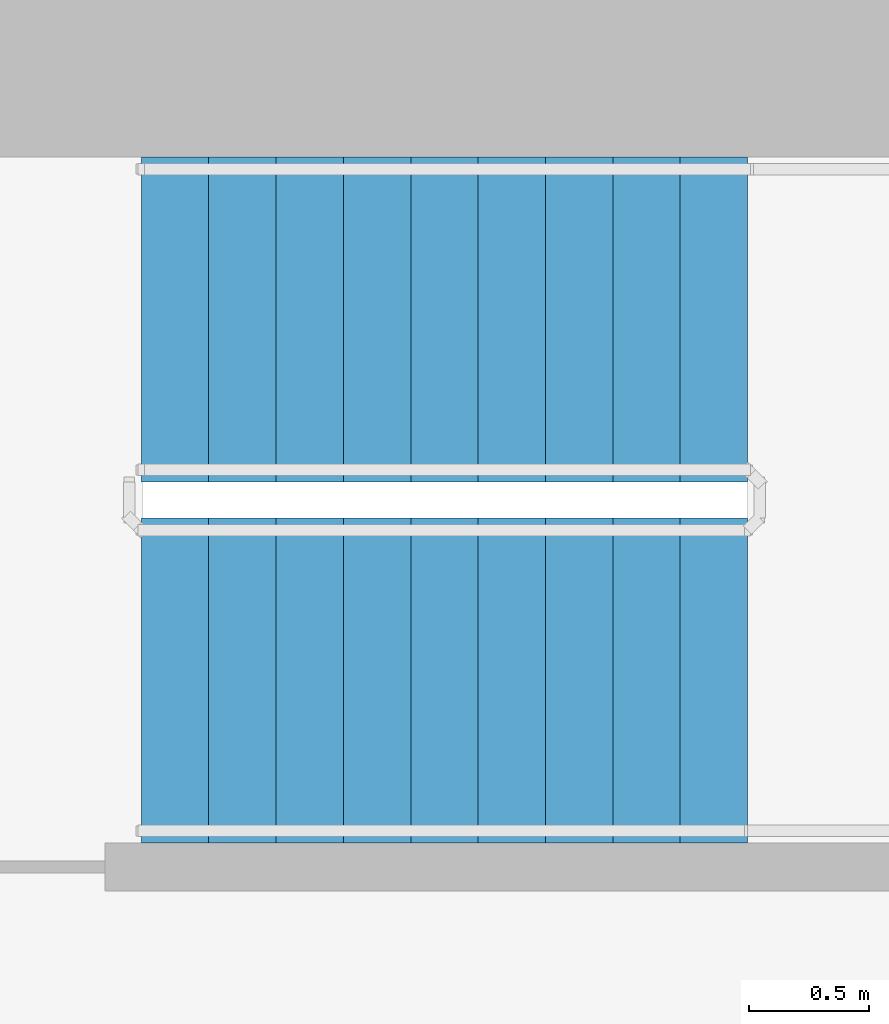
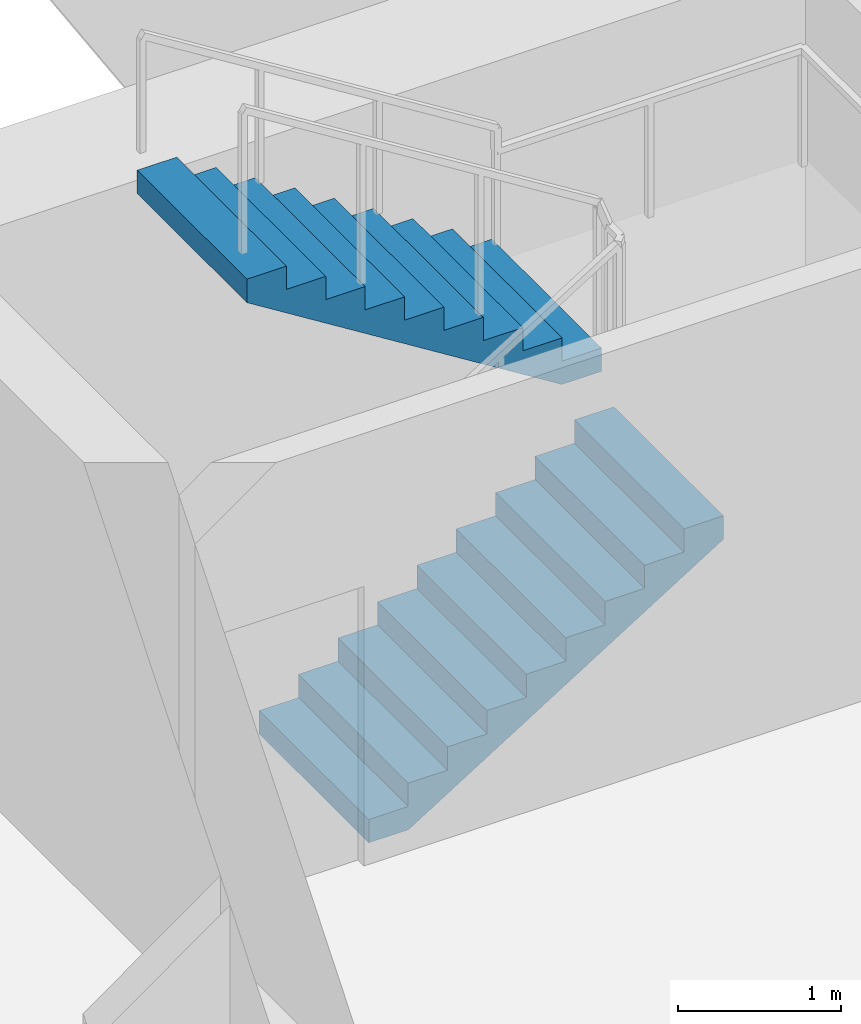
# One storey, part 14 of 18: 2 stair flights, 1 element without a shape of its own.
"""IFC4 building model written with IfcOpenShell, lengths in metres."""

from ifc_helpers import new_model, si_unit, direction, frame, origin, place, context, subcontext, project, spatial, polyline, outline, extrude, material, type_object, element, aggregate, save


model = new_model("IFC4")

# Units and contexts
model_context = context("Model", 3, precision=1e-05, world=origin(), true_north=direction((0.0, 1.0)))
body_context = subcontext(model_context, "Body", "Model", "MODEL_VIEW")
ifc_project = project(units=[si_unit("LENGTHUNIT", "METRE"), si_unit("AREAUNIT", "SQUARE_METRE"), si_unit("VOLUMEUNIT", "CUBIC_METRE"), si_unit("PLANEANGLEUNIT", "RADIAN"), si_unit("MASSUNIT", "GRAM", prefix="KILO")], contexts=[model_context])

# Site, building, storey
site_placement = place(None, origin())
site = spatial("IfcSite", under=ifc_project, at=site_placement, CompositionType="ELEMENT")
building_placement = place(site_placement, origin())
building = spatial("IfcBuilding", under=site, at=building_placement, Name="Perihelion Cross Residences", CompositionType="ELEMENT")
storey_placement = place(building_placement, frame((0.0, 0.0, 177.10009765625)))
storey = spatial("IfcBuildingStorey", under=building, at=storey_placement, Name="L43", CompositionType="ELEMENT", Elevation=177.10009765625)

# Stair, stair flights
ifc_material_1 = material(Name="Concrete C40/50", Category="concrete")
stair_type = type_object("IfcStairType", Name="Exit stair, half-turn", PredefinedType="HALF_TURN_STAIR", material=ifc_material_1)
stair_placement = place(storey_placement, origin())
stair = element("IfcStair", 1, at=stair_placement, inside=storey, type_object=stair_type, Name="L43 East core exit stair 1", PredefinedType="HALF_TURN_STAIR")
ifc_material_2 = material(Name="Concrete C40/50", Category="concrete")
stair_flight_type = type_object("IfcStairFlightType", Name="Exit stair flight", PredefinedType="STRAIGHT", material=ifc_material_2)
stair_flight_1_placement = place(storey_placement, frame((23.39990234375, 5.925048828125, 0.0), z_axis=(0.0, 0.0, 1.0), x_axis=(1.0, 0.0, 0.0)))
stair_flight_1 = element("IfcStairFlight", 2, at=stair_flight_1_placement, type_object=stair_flight_type, Name="ST-E1 flight 1", NumberOfRisers=10, NumberOfTreads=9, PredefinedType="STRAIGHT", RiserHeight=0.175, TreadLength=0.28, context=body_context, shape_type="SweptSolid", body=[
    extrude(outline(polyline([(0.0, 0.0), (0.0, 0.175048828125), (0.280029296875, 0.175048828125), (0.280029296875, 0.35009765625), (0.56005859375, 0.35009765625), (0.56005859375, 0.52490234375), (0.840087890625, 0.52490234375), (0.840087890625, 0.699951171875), (1.1201171875, 0.699951171875), (1.1201171875, 0.875), (1.39990234375, 0.875), (1.39990234375, 1.050048828125), (1.679931640625, 1.050048828125), (1.679931640625, 1.22509765625), (1.9599609375, 1.22509765625), (1.9599609375, 1.39990234375), (2.239990234375, 1.39990234375), (2.239990234375, 1.574951171875), (2.52001953125, 1.574951171875), (2.52001953125, 1.75), (2.52001953125, 1.398193359375), (0.28271484375, 0.0), (0.0, 0.0)])), frame((0.0, 0.675048828125, 0.0), z_axis=(0.0, -1.0, 0.0), x_axis=(1.0, 0.0, 0.0)), (0.0, 0.0, 1.0), 1.35009765625),
])
stair_flight_2_placement = place(storey_placement, frame((25.919921875, 7.425048828125, 1.75), z_axis=(0.0, 0.0, 1.0), x_axis=(-1.0, 0.0, 0.0)))
stair_flight_2 = element("IfcStairFlight", 3, at=stair_flight_2_placement, type_object=stair_flight_type, Name="ST-E1 flight 2", NumberOfRisers=10, NumberOfTreads=9, PredefinedType="STRAIGHT", RiserHeight=0.175, TreadLength=0.28, context=body_context, shape_type="SweptSolid", body=[
    extrude(outline(polyline([(0.0, 0.0), (0.0, 0.175048828125), (0.280029296875, 0.175048828125), (0.280029296875, 0.35009765625), (0.56005859375, 0.35009765625), (0.56005859375, 0.52490234375), (0.840087890625, 0.52490234375), (0.840087890625, 0.699951171875), (1.1201171875, 0.699951171875), (1.1201171875, 0.875), (1.39990234375, 0.875), (1.39990234375, 1.050048828125), (1.679931640625, 1.050048828125), (1.679931640625, 1.22509765625), (1.9599609375, 1.22509765625), (1.9599609375, 1.39990234375), (2.239990234375, 1.39990234375), (2.239990234375, 1.574951171875), (2.52001953125, 1.574951171875), (2.52001953125, 1.75), (2.52001953125, 1.398193359375), (0.28271484375, 0.0), (0.0, 0.0)])), frame((0.0, 0.675048828125, 0.0), z_axis=(0.0, -1.0, 0.0), x_axis=(1.0, 0.0, 0.0)), (0.0, 0.0, 1.0), 1.35009765625),
])
aggregate(stair, [stair_flight_1, stair_flight_2])

save(model, "model.ifc")
